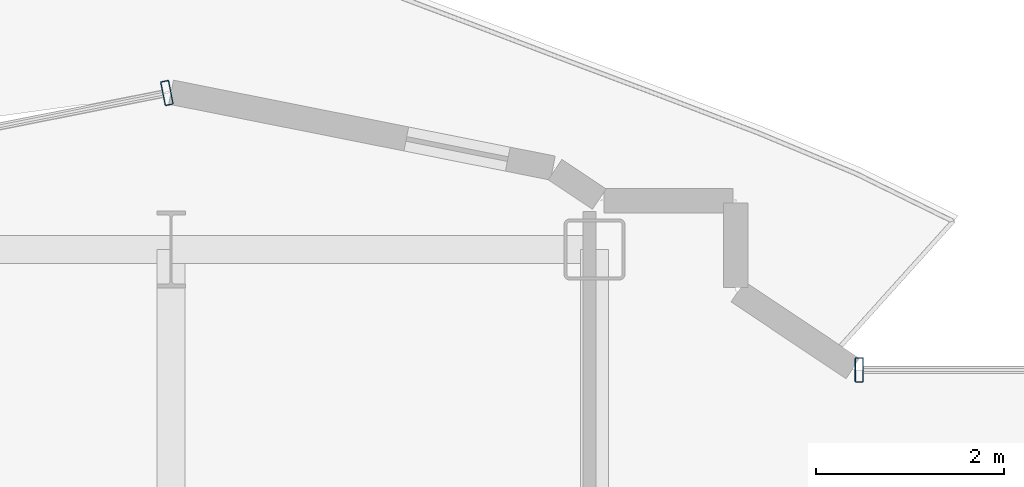
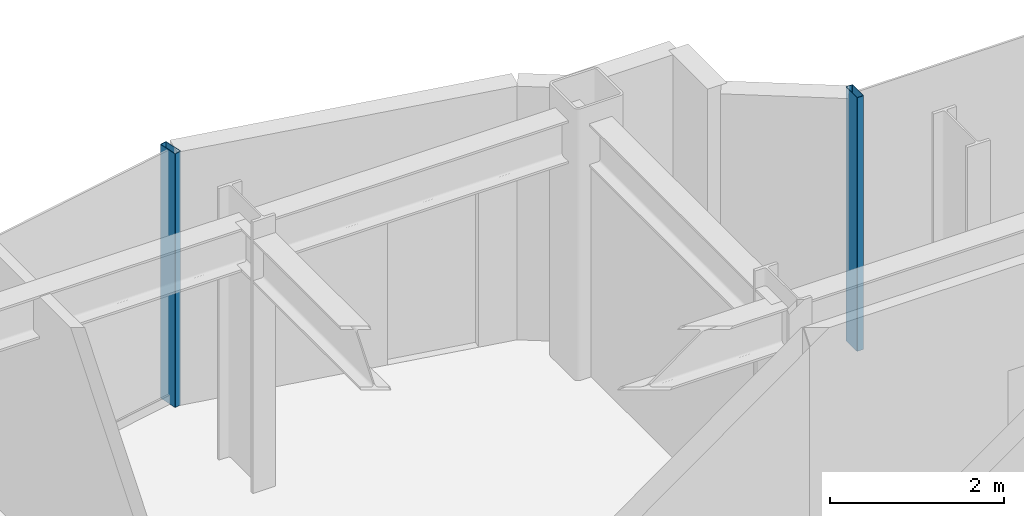
# One storey, part 11 of 22: 2 members, 2 elements without a shape of their own.
"""IFC4 building model written with IfcOpenShell, lengths in metres."""

from ifc_helpers import new_model, si_unit, direction, frame, origin, origin_2d, place, context, subcontext, project, spatial, hollow_rectangle, extrude, source, transform, mapped, material, layer, layer_set, material_profile, profile_set, type_object, element, aggregate, save


model = new_model("IFC4")

# Units and contexts
model_context = context("Model", 3, precision=1e-05, world=origin(), true_north=direction((0.0, 1.0)))
body_context = subcontext(model_context, "Body", "Model", "MODEL_VIEW")
ifc_project = project(units=[si_unit("LENGTHUNIT", "METRE"), si_unit("AREAUNIT", "SQUARE_METRE"), si_unit("VOLUMEUNIT", "CUBIC_METRE"), si_unit("PLANEANGLEUNIT", "RADIAN"), si_unit("MASSUNIT", "GRAM", prefix="KILO")], contexts=[model_context])

# Site, building, storey
site_placement = place(None, origin())
site = spatial("IfcSite", under=ifc_project, at=site_placement, CompositionType="ELEMENT")
building_placement = place(site_placement, origin())
building = spatial("IfcBuilding", under=site, at=building_placement, Name="Nefas-Gora Pilgrimage Tower", CompositionType="ELEMENT")
storey_placement = place(building_placement, frame((0.0, 0.0, 240.800048828125)))
storey = spatial("IfcBuildingStorey", under=building, at=storey_placement, Name="L60", CompositionType="ELEMENT", Elevation=240.800048828125)

# Curtain wall, member
ifc_material_1 = material(Name="Dark ceramic-fritted solar-control aluminium-glass curtain wall", Category="aluminium")
ifc_layer = layer(ifc_material_1, 0.219970703125)
ifc_layer_set = layer_set([ifc_layer], Name="Dark ceramic-fritted solar-control aluminium-glass curtain wall")
curtain_wall_type = type_object("IfcCurtainWallType", Name="CW-SYS-5", PredefinedType="NOTDEFINED", material=ifc_layer_set)
curtain_wall_1_placement = place(storey_placement, origin())
curtain_wall_1 = element("IfcCurtainWall", 1, at=curtain_wall_1_placement, inside=storey, type_object=curtain_wall_type, Name="L60 Unitised Curtain Wall CW5", PredefinedType="NOTDEFINED")
ifc_material_2 = material(Name="Anodised architectural aluminium", Category="aluminium")
ifc_material_profile = material_profile(ifc_material_2, hollow_rectangle(XDim=0.090087890625, YDim=0.260009765625, WallThickness=0.006103515625, InnerFilletRadius=0.006103515625, OuterFilletRadius=0.011962890625, at=origin_2d()), Name="ALU MULLION 90x260")
ifc_profile_set = profile_set([ifc_material_profile], Name="Anodised architectural aluminium")
member_type = type_object("IfcMemberType", Name="CWM-MUL-5", PredefinedType="MULLION", material=ifc_profile_set)
shared_shape = source(origin(), body_context, "Body", "SweptSolid", [
    extrude(hollow_rectangle(XDim=0.090087890625, YDim=0.260009765625, WallThickness=0.006103515625, InnerFilletRadius=0.006103515625, OuterFilletRadius=0.011962890625, at=origin_2d()), origin(), (0.0, 0.0, 1.0), 3.550048828125),
])
member_1_placement = place(storey_placement, frame((5.06298828125, 21.219970703125, 0.0), z_axis=(0.0, 0.0, 1.0), x_axis=(-1.0, 0.0, 0.0)))
member_1 = element("IfcMember", 2, at=member_1_placement, type_object=member_type, Name="CW5 Mullion 2", PredefinedType="MULLION", context=body_context, shape_type="MappedRepresentation", body=[
    mapped(shared_shape, transform((0.0, 0.0, 0.0), x_axis=(1.0, 0.0, 0.0), y_axis=(0.0, 1.0, 0.0), z_axis=(0.0, 0.0, 1.0), scale=1.0)),
])
aggregate(curtain_wall_1, [member_1])

curtain_wall_2_placement = place(storey_placement, origin())
curtain_wall_2 = element("IfcCurtainWall", 3, at=curtain_wall_2_placement, inside=storey, type_object=curtain_wall_type, Name="L60 Unitised Curtain Wall CW5", PredefinedType="NOTDEFINED")
member_2_placement = place(storey_placement, frame((-2.294189453125, 24.16357421875, 0.0), z_axis=(0.0, 0.0, 1.0), x_axis=(-0.980782896852, -0.195102304554, 0.0)))
member_2 = element("IfcMember", 4, at=member_2_placement, type_object=member_type, Name="CW5 Mullion 1", PredefinedType="MULLION", context=body_context, shape_type="MappedRepresentation", body=[
    mapped(shared_shape, transform((0.0, 0.0, 0.0), x_axis=(1.0, 0.0, 0.0), y_axis=(0.0, 1.0, 0.0), z_axis=(0.0, 0.0, 1.0), scale=1.0)),
])
aggregate(curtain_wall_2, [member_2])

save(model, "model.ifc")
